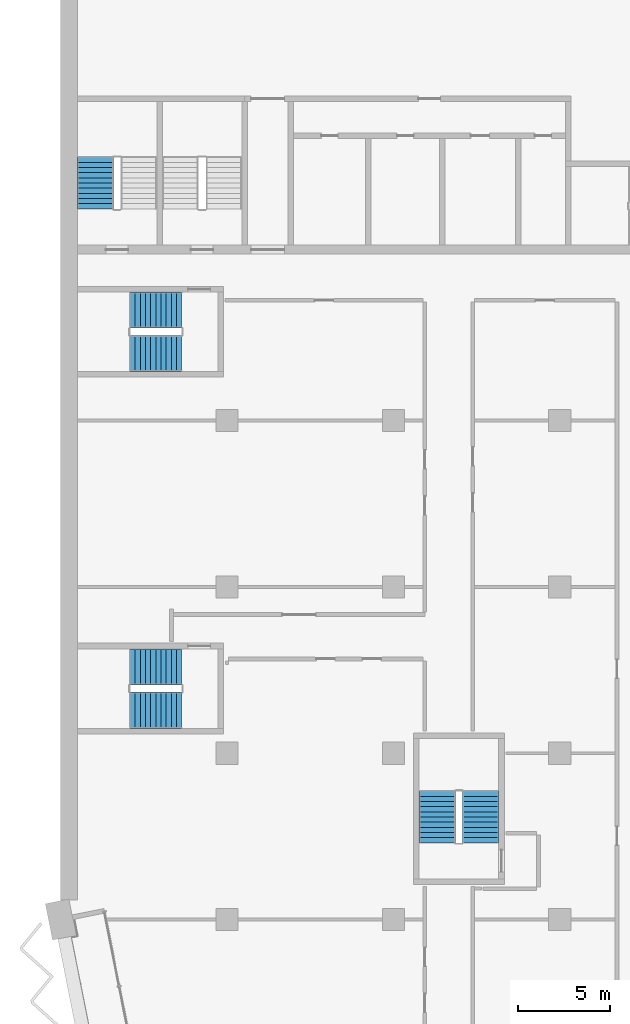
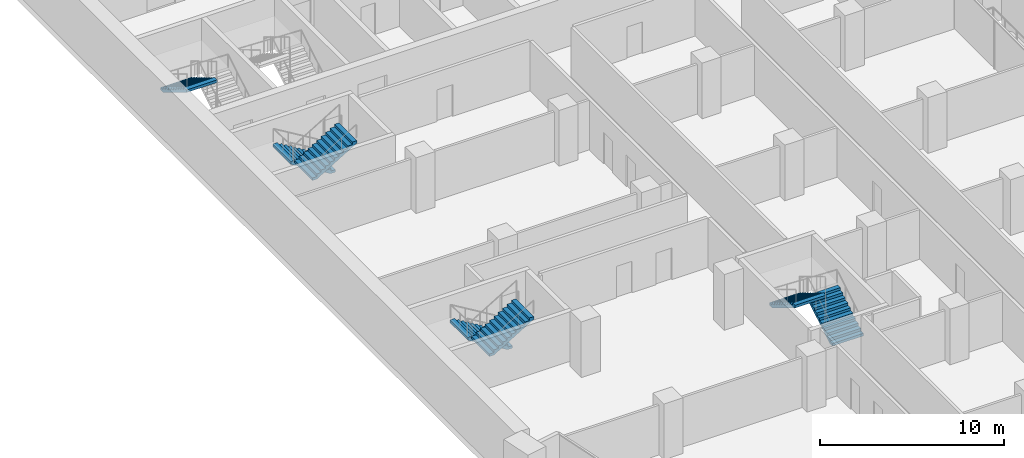
# One storey, part 16 of 23: 7 stair flights, 4 elements without a shape of their own.
"""IFC4 building model written with IfcOpenShell, lengths in metres."""

from ifc_helpers import new_model, si_unit, direction, frame, origin, place, context, subcontext, project, spatial, polyline, outline, extrude, material, type_object, element, aggregate, save


model = new_model("IFC4")

# Units and contexts
model_context = context("Model", 3, precision=1e-05, world=origin(), true_north=direction((0.0, 1.0)))
body_context = subcontext(model_context, "Body", "Model", "MODEL_VIEW")
ifc_project = project(units=[si_unit("LENGTHUNIT", "METRE"), si_unit("AREAUNIT", "SQUARE_METRE"), si_unit("VOLUMEUNIT", "CUBIC_METRE"), si_unit("PLANEANGLEUNIT", "RADIAN"), si_unit("MASSUNIT", "GRAM", prefix="KILO")], contexts=[model_context])

# Site, building, storey
site_placement = place(None, origin())
site = spatial("IfcSite", under=ifc_project, at=site_placement, CompositionType="ELEMENT")
building_placement = place(site_placement, origin())
building = spatial("IfcBuilding", under=site, at=building_placement, Name="Hunhe Ridgeline Campus", CompositionType="ELEMENT")
storey_placement = place(building_placement, frame((0.0, 0.0, 152.300048828125)))
storey = spatial("IfcBuildingStorey", under=building, at=storey_placement, Name="L38", CompositionType="ELEMENT", Elevation=152.300048828125)

# Stair, stair flight
ifc_material = material(Name="Concrete C40", Category="concrete")
stair_type = type_object("IfcStairType", Name="Reinforced concrete dog-leg stair 1950 Concrete C40", PredefinedType="HALF_TURN_STAIR", material=ifc_material)
stair_1_placement = place(storey_placement, origin())
stair_1 = element("IfcStair", 1, at=stair_1_placement, inside=storey, type_object=stair_type, Name="L38 S3", PredefinedType="HALF_TURN_STAIR")
stair_flight_type = type_object("IfcStairFlightType", Name="Reinforced concrete stair flight 1950 Concrete C40", PredefinedType="STRAIGHT", material=ifc_material)
stair_flight_1_placement = place(storey_placement, frame((1.875, 68.25, 1.849853515625), z_axis=(0.0, 0.0, 1.0), x_axis=(0.0, -1.0, 0.0)))
stair_flight_1 = element("IfcStairFlight", 2, at=stair_flight_1_placement, type_object=stair_flight_type, Name="ST3 flight 2", NumberOfRisers=11, NumberOfTreads=10, PredefinedType="STRAIGHT", RiserHeight=0.168181818, TreadLength=0.28, context=body_context, shape_type="SweptSolid", body=[
    extrude(outline(polyline([(0.0, 0.0), (0.0, 0.168212890625), (0.280029296875, 0.168212890625), (0.280029296875, 0.33642578125), (0.56005859375, 0.33642578125), (0.56005859375, 0.504638671875), (0.840087890625, 0.504638671875), (0.840087890625, 0.672607421875), (1.1201171875, 0.672607421875), (1.1201171875, 0.8408203125), (1.39990234375, 0.8408203125), (1.39990234375, 1.009033203125), (1.679931640625, 1.009033203125), (1.679931640625, 1.17724609375), (1.9599609375, 1.17724609375), (1.9599609375, 1.345458984375), (2.239990234375, 1.345458984375), (2.239990234375, 1.513671875), (2.52001953125, 1.513671875), (2.52001953125, 1.681884765625), (2.800048828125, 1.681884765625), (2.800048828125, 1.85009765625), (2.800048828125, 1.5068359375), (0.291015625, 0.0), (0.0, 0.0)])), frame((0.0, 0.97509765625, 0.0), z_axis=(0.0, -1.0, 0.0), x_axis=(1.0, 0.0, 0.0)), (0.0, 0.0, 1.0), 1.949951171875),
    extrude(outline(polyline([(0.030029296875, 0.030029296875), (0.030029296875, 0.13818359375), (0.31005859375, 0.13818359375), (0.31005859375, 0.306396484375), (0.590087890625, 0.306396484375), (0.590087890625, 0.474609375), (0.8701171875, 0.474609375), (0.8701171875, 0.642578125), (1.14990234375, 0.642578125), (1.14990234375, 0.810791015625), (1.429931640625, 0.810791015625), (1.429931640625, 0.97900390625), (1.7099609375, 0.97900390625), (1.7099609375, 1.147216796875), (1.989990234375, 1.147216796875), (1.989990234375, 1.3154296875), (2.27001953125, 1.3154296875), (2.27001953125, 1.483642578125), (2.550048828125, 1.483642578125), (2.550048828125, 1.65185546875), (2.77001953125, 1.65185546875), (2.77001953125, 1.52392578125), (0.28271484375, 0.030029296875), (0.030029296875, 0.030029296875)])), frame((0.0, -0.070068359375, 0.0), z_axis=(0.0, -1.0, 0.0), x_axis=(1.0, 0.0, 0.0)), (0.0, 0.0, 1.0), 0.019775390625),
    extrude(outline(polyline([(0.030029296875, 0.030029296875), (0.030029296875, 0.13818359375), (0.31005859375, 0.13818359375), (0.31005859375, 0.306396484375), (0.590087890625, 0.306396484375), (0.590087890625, 0.474609375), (0.8701171875, 0.474609375), (0.8701171875, 0.642578125), (1.14990234375, 0.642578125), (1.14990234375, 0.810791015625), (1.429931640625, 0.810791015625), (1.429931640625, 0.97900390625), (1.7099609375, 0.97900390625), (1.7099609375, 1.147216796875), (1.989990234375, 1.147216796875), (1.989990234375, 1.3154296875), (2.27001953125, 1.3154296875), (2.27001953125, 1.483642578125), (2.550048828125, 1.483642578125), (2.550048828125, 1.65185546875), (2.77001953125, 1.65185546875), (2.77001953125, 1.52392578125), (0.28271484375, 0.030029296875), (0.030029296875, 0.030029296875)])), frame((0.0, 0.010009765625, 0.0), z_axis=(0.0, -1.0, 0.0), x_axis=(1.0, 0.0, 0.0)), (0.0, 0.0, 1.0), 0.019775390625),
    extrude(outline(polyline([(0.030029296875, 0.030029296875), (0.030029296875, 0.13818359375), (0.31005859375, 0.13818359375), (0.31005859375, 0.306396484375), (0.590087890625, 0.306396484375), (0.590087890625, 0.474609375), (0.8701171875, 0.474609375), (0.8701171875, 0.642578125), (1.14990234375, 0.642578125), (1.14990234375, 0.810791015625), (1.429931640625, 0.810791015625), (1.429931640625, 0.97900390625), (1.7099609375, 0.97900390625), (1.7099609375, 1.147216796875), (1.989990234375, 1.147216796875), (1.989990234375, 1.3154296875), (2.27001953125, 1.3154296875), (2.27001953125, 1.483642578125), (2.550048828125, 1.483642578125), (2.550048828125, 1.65185546875), (2.77001953125, 1.65185546875), (2.77001953125, 1.52392578125), (0.28271484375, 0.030029296875), (0.030029296875, 0.030029296875)])), frame((0.0, 0.090087890625, 0.0), z_axis=(0.0, -1.0, 0.0), x_axis=(1.0, 0.0, 0.0)), (0.0, 0.0, 1.0), 0.019775390625),
])
aggregate(stair_1, [stair_flight_1])

# Stair, stair flights
stair_2_placement = place(storey_placement, origin())
stair_2 = element("IfcStair", 3, at=stair_2_placement, inside=storey, type_object=stair_type, Name="L38 W3", PredefinedType="HALF_TURN_STAIR")
stair_flight_2_placement = place(storey_placement, frame((22.72509765625, 31.14990234375, 0.0), z_axis=(0.0, 0.0, 1.0), x_axis=(0.0, 1.0, 0.0)))
stair_flight_2 = element("IfcStairFlight", 4, at=stair_flight_2_placement, type_object=stair_flight_type, Name="ST9 flight 1", NumberOfRisers=11, NumberOfTreads=10, PredefinedType="STRAIGHT", RiserHeight=0.168181818, TreadLength=0.28, context=body_context, shape_type="SweptSolid", body=[
    extrude(outline(polyline([(0.0, 0.0), (0.0, 0.168212890625), (0.280029296875, 0.168212890625), (0.280029296875, 0.33642578125), (0.56005859375, 0.33642578125), (0.56005859375, 0.504638671875), (0.840087890625, 0.504638671875), (0.840087890625, 0.672607421875), (1.1201171875, 0.672607421875), (1.1201171875, 0.8408203125), (1.39990234375, 0.8408203125), (1.39990234375, 1.009033203125), (1.679931640625, 1.009033203125), (1.679931640625, 1.17724609375), (1.9599609375, 1.17724609375), (1.9599609375, 1.345458984375), (2.239990234375, 1.345458984375), (2.239990234375, 1.513671875), (2.52001953125, 1.513671875), (2.52001953125, 1.681884765625), (2.800048828125, 1.681884765625), (2.800048828125, 1.85009765625), (2.800048828125, 1.5068359375), (0.291015625, 0.0), (0.0, 0.0)])), frame((0.0, 0.97509765625, 0.0), z_axis=(0.0, -1.0, 0.0), x_axis=(1.0, 0.0, 0.0)), (0.0, 0.0, 1.0), 1.949951171875),
    extrude(outline(polyline([(0.030029296875, 0.030029296875), (0.030029296875, 0.13818359375), (0.31005859375, 0.13818359375), (0.31005859375, 0.306396484375), (0.590087890625, 0.306396484375), (0.590087890625, 0.474609375), (0.8701171875, 0.474609375), (0.8701171875, 0.642578125), (1.14990234375, 0.642578125), (1.14990234375, 0.810791015625), (1.429931640625, 0.810791015625), (1.429931640625, 0.97900390625), (1.7099609375, 0.97900390625), (1.7099609375, 1.147216796875), (1.989990234375, 1.147216796875), (1.989990234375, 1.3154296875), (2.27001953125, 1.3154296875), (2.27001953125, 1.483642578125), (2.550048828125, 1.483642578125), (2.550048828125, 1.65185546875), (2.77001953125, 1.65185546875), (2.77001953125, 1.52392578125), (0.28271484375, 0.030029296875), (0.030029296875, 0.030029296875)])), frame((0.0, -0.070068359375, 0.0), z_axis=(0.0, -1.0, 0.0), x_axis=(1.0, 0.0, 0.0)), (0.0, 0.0, 1.0), 0.019775390625),
    extrude(outline(polyline([(0.030029296875, 0.030029296875), (0.030029296875, 0.13818359375), (0.31005859375, 0.13818359375), (0.31005859375, 0.306396484375), (0.590087890625, 0.306396484375), (0.590087890625, 0.474609375), (0.8701171875, 0.474609375), (0.8701171875, 0.642578125), (1.14990234375, 0.642578125), (1.14990234375, 0.810791015625), (1.429931640625, 0.810791015625), (1.429931640625, 0.97900390625), (1.7099609375, 0.97900390625), (1.7099609375, 1.147216796875), (1.989990234375, 1.147216796875), (1.989990234375, 1.3154296875), (2.27001953125, 1.3154296875), (2.27001953125, 1.483642578125), (2.550048828125, 1.483642578125), (2.550048828125, 1.65185546875), (2.77001953125, 1.65185546875), (2.77001953125, 1.52392578125), (0.28271484375, 0.030029296875), (0.030029296875, 0.030029296875)])), frame((0.0, 0.010009765625, 0.0), z_axis=(0.0, -1.0, 0.0), x_axis=(1.0, 0.0, 0.0)), (0.0, 0.0, 1.0), 0.019775390625),
    extrude(outline(polyline([(0.030029296875, 0.030029296875), (0.030029296875, 0.13818359375), (0.31005859375, 0.13818359375), (0.31005859375, 0.306396484375), (0.590087890625, 0.306396484375), (0.590087890625, 0.474609375), (0.8701171875, 0.474609375), (0.8701171875, 0.642578125), (1.14990234375, 0.642578125), (1.14990234375, 0.810791015625), (1.429931640625, 0.810791015625), (1.429931640625, 0.97900390625), (1.7099609375, 0.97900390625), (1.7099609375, 1.147216796875), (1.989990234375, 1.147216796875), (1.989990234375, 1.3154296875), (2.27001953125, 1.3154296875), (2.27001953125, 1.483642578125), (2.550048828125, 1.483642578125), (2.550048828125, 1.65185546875), (2.77001953125, 1.65185546875), (2.77001953125, 1.52392578125), (0.28271484375, 0.030029296875), (0.030029296875, 0.030029296875)])), frame((0.0, 0.090087890625, 0.0), z_axis=(0.0, -1.0, 0.0), x_axis=(1.0, 0.0, 0.0)), (0.0, 0.0, 1.0), 0.019775390625),
])
stair_flight_3_placement = place(storey_placement, frame((20.375, 33.949951171875, 1.849853515625), z_axis=(0.0, 0.0, 1.0), x_axis=(0.0, -1.0, 0.0)))
stair_flight_3 = element("IfcStairFlight", 5, at=stair_flight_3_placement, type_object=stair_flight_type, Name="ST9 flight 2", NumberOfRisers=11, NumberOfTreads=10, PredefinedType="STRAIGHT", RiserHeight=0.168181818, TreadLength=0.28, context=body_context, shape_type="SweptSolid", body=[
    extrude(outline(polyline([(0.0, 0.0), (0.0, 0.168212890625), (0.280029296875, 0.168212890625), (0.280029296875, 0.33642578125), (0.56005859375, 0.33642578125), (0.56005859375, 0.504638671875), (0.840087890625, 0.504638671875), (0.840087890625, 0.672607421875), (1.1201171875, 0.672607421875), (1.1201171875, 0.8408203125), (1.39990234375, 0.8408203125), (1.39990234375, 1.009033203125), (1.679931640625, 1.009033203125), (1.679931640625, 1.17724609375), (1.9599609375, 1.17724609375), (1.9599609375, 1.345458984375), (2.239990234375, 1.345458984375), (2.239990234375, 1.513671875), (2.52001953125, 1.513671875), (2.52001953125, 1.681884765625), (2.800048828125, 1.681884765625), (2.800048828125, 1.85009765625), (2.800048828125, 1.5068359375), (0.291015625, 0.0), (0.0, 0.0)])), frame((0.0, 0.97509765625, 0.0), z_axis=(0.0, -1.0, 0.0), x_axis=(1.0, 0.0, 0.0)), (0.0, 0.0, 1.0), 1.949951171875),
    extrude(outline(polyline([(0.030029296875, 0.030029296875), (0.030029296875, 0.13818359375), (0.31005859375, 0.13818359375), (0.31005859375, 0.306396484375), (0.590087890625, 0.306396484375), (0.590087890625, 0.474609375), (0.8701171875, 0.474609375), (0.8701171875, 0.642578125), (1.14990234375, 0.642578125), (1.14990234375, 0.810791015625), (1.429931640625, 0.810791015625), (1.429931640625, 0.97900390625), (1.7099609375, 0.97900390625), (1.7099609375, 1.147216796875), (1.989990234375, 1.147216796875), (1.989990234375, 1.3154296875), (2.27001953125, 1.3154296875), (2.27001953125, 1.483642578125), (2.550048828125, 1.483642578125), (2.550048828125, 1.65185546875), (2.77001953125, 1.65185546875), (2.77001953125, 1.52392578125), (0.28271484375, 0.030029296875), (0.030029296875, 0.030029296875)])), frame((0.0, -0.070068359375, 0.0), z_axis=(0.0, -1.0, 0.0), x_axis=(1.0, 0.0, 0.0)), (0.0, 0.0, 1.0), 0.019775390625),
    extrude(outline(polyline([(0.030029296875, 0.030029296875), (0.030029296875, 0.13818359375), (0.31005859375, 0.13818359375), (0.31005859375, 0.306396484375), (0.590087890625, 0.306396484375), (0.590087890625, 0.474609375), (0.8701171875, 0.474609375), (0.8701171875, 0.642578125), (1.14990234375, 0.642578125), (1.14990234375, 0.810791015625), (1.429931640625, 0.810791015625), (1.429931640625, 0.97900390625), (1.7099609375, 0.97900390625), (1.7099609375, 1.147216796875), (1.989990234375, 1.147216796875), (1.989990234375, 1.3154296875), (2.27001953125, 1.3154296875), (2.27001953125, 1.483642578125), (2.550048828125, 1.483642578125), (2.550048828125, 1.65185546875), (2.77001953125, 1.65185546875), (2.77001953125, 1.52392578125), (0.28271484375, 0.030029296875), (0.030029296875, 0.030029296875)])), frame((0.0, 0.010009765625, 0.0), z_axis=(0.0, -1.0, 0.0), x_axis=(1.0, 0.0, 0.0)), (0.0, 0.0, 1.0), 0.019775390625),
    extrude(outline(polyline([(0.030029296875, 0.030029296875), (0.030029296875, 0.13818359375), (0.31005859375, 0.13818359375), (0.31005859375, 0.306396484375), (0.590087890625, 0.306396484375), (0.590087890625, 0.474609375), (0.8701171875, 0.474609375), (0.8701171875, 0.642578125), (1.14990234375, 0.642578125), (1.14990234375, 0.810791015625), (1.429931640625, 0.810791015625), (1.429931640625, 0.97900390625), (1.7099609375, 0.97900390625), (1.7099609375, 1.147216796875), (1.989990234375, 1.147216796875), (1.989990234375, 1.3154296875), (2.27001953125, 1.3154296875), (2.27001953125, 1.483642578125), (2.550048828125, 1.483642578125), (2.550048828125, 1.65185546875), (2.77001953125, 1.65185546875), (2.77001953125, 1.52392578125), (0.28271484375, 0.030029296875), (0.030029296875, 0.030029296875)])), frame((0.0, 0.090087890625, 0.0), z_axis=(0.0, -1.0, 0.0), x_axis=(1.0, 0.0, 0.0)), (0.0, 0.0, 1.0), 0.019775390625),
])
aggregate(stair_2, [stair_flight_2, stair_flight_3])

stair_3_placement = place(storey_placement, origin())
stair_3 = element("IfcStair", 6, at=stair_3_placement, inside=storey, type_object=stair_type, Name="L38 W1", PredefinedType="HALF_TURN_STAIR")
stair_flight_4_placement = place(storey_placement, frame((6.550048828125, 40.675048828125, 0.0), z_axis=(0.0, 0.0, 1.0), x_axis=(-1.0, 0.0, 0.0)))
stair_flight_4 = element("IfcStairFlight", 7, at=stair_flight_4_placement, type_object=stair_flight_type, Name="ST11 flight 1", NumberOfRisers=11, NumberOfTreads=10, PredefinedType="STRAIGHT", RiserHeight=0.168181818, TreadLength=0.28, context=body_context, shape_type="SweptSolid", body=[
    extrude(outline(polyline([(0.0, 0.0), (0.0, 0.168212890625), (0.280029296875, 0.168212890625), (0.280029296875, 0.33642578125), (0.56005859375, 0.33642578125), (0.56005859375, 0.504638671875), (0.840087890625, 0.504638671875), (0.840087890625, 0.672607421875), (1.1201171875, 0.672607421875), (1.1201171875, 0.8408203125), (1.39990234375, 0.8408203125), (1.39990234375, 1.009033203125), (1.679931640625, 1.009033203125), (1.679931640625, 1.17724609375), (1.9599609375, 1.17724609375), (1.9599609375, 1.345458984375), (2.239990234375, 1.345458984375), (2.239990234375, 1.513671875), (2.52001953125, 1.513671875), (2.52001953125, 1.681884765625), (2.800048828125, 1.681884765625), (2.800048828125, 1.85009765625), (2.800048828125, 1.5068359375), (0.291015625, 0.0), (0.0, 0.0)])), frame((0.0, 0.97509765625, 0.0), z_axis=(0.0, -1.0, 0.0), x_axis=(1.0, 0.0, 0.0)), (0.0, 0.0, 1.0), 1.949951171875),
    extrude(outline(polyline([(0.030029296875, 0.030029296875), (0.030029296875, 0.13818359375), (0.31005859375, 0.13818359375), (0.31005859375, 0.306396484375), (0.590087890625, 0.306396484375), (0.590087890625, 0.474609375), (0.8701171875, 0.474609375), (0.8701171875, 0.642578125), (1.14990234375, 0.642578125), (1.14990234375, 0.810791015625), (1.429931640625, 0.810791015625), (1.429931640625, 0.97900390625), (1.7099609375, 0.97900390625), (1.7099609375, 1.147216796875), (1.989990234375, 1.147216796875), (1.989990234375, 1.3154296875), (2.27001953125, 1.3154296875), (2.27001953125, 1.483642578125), (2.550048828125, 1.483642578125), (2.550048828125, 1.65185546875), (2.77001953125, 1.65185546875), (2.77001953125, 1.52392578125), (0.28271484375, 0.030029296875), (0.030029296875, 0.030029296875)])), frame((0.0, -0.070068359375, 0.0), z_axis=(0.0, -1.0, 0.0), x_axis=(1.0, 0.0, 0.0)), (0.0, 0.0, 1.0), 0.019775390625),
    extrude(outline(polyline([(0.030029296875, 0.030029296875), (0.030029296875, 0.13818359375), (0.31005859375, 0.13818359375), (0.31005859375, 0.306396484375), (0.590087890625, 0.306396484375), (0.590087890625, 0.474609375), (0.8701171875, 0.474609375), (0.8701171875, 0.642578125), (1.14990234375, 0.642578125), (1.14990234375, 0.810791015625), (1.429931640625, 0.810791015625), (1.429931640625, 0.97900390625), (1.7099609375, 0.97900390625), (1.7099609375, 1.147216796875), (1.989990234375, 1.147216796875), (1.989990234375, 1.3154296875), (2.27001953125, 1.3154296875), (2.27001953125, 1.483642578125), (2.550048828125, 1.483642578125), (2.550048828125, 1.65185546875), (2.77001953125, 1.65185546875), (2.77001953125, 1.52392578125), (0.28271484375, 0.030029296875), (0.030029296875, 0.030029296875)])), frame((0.0, 0.010009765625, 0.0), z_axis=(0.0, -1.0, 0.0), x_axis=(1.0, 0.0, 0.0)), (0.0, 0.0, 1.0), 0.019775390625),
    extrude(outline(polyline([(0.030029296875, 0.030029296875), (0.030029296875, 0.13818359375), (0.31005859375, 0.13818359375), (0.31005859375, 0.306396484375), (0.590087890625, 0.306396484375), (0.590087890625, 0.474609375), (0.8701171875, 0.474609375), (0.8701171875, 0.642578125), (1.14990234375, 0.642578125), (1.14990234375, 0.810791015625), (1.429931640625, 0.810791015625), (1.429931640625, 0.97900390625), (1.7099609375, 0.97900390625), (1.7099609375, 1.147216796875), (1.989990234375, 1.147216796875), (1.989990234375, 1.3154296875), (2.27001953125, 1.3154296875), (2.27001953125, 1.483642578125), (2.550048828125, 1.483642578125), (2.550048828125, 1.65185546875), (2.77001953125, 1.65185546875), (2.77001953125, 1.52392578125), (0.28271484375, 0.030029296875), (0.030029296875, 0.030029296875)])), frame((0.0, 0.090087890625, 0.0), z_axis=(0.0, -1.0, 0.0), x_axis=(1.0, 0.0, 0.0)), (0.0, 0.0, 1.0), 0.019775390625),
])
stair_flight_5_placement = place(storey_placement, frame((3.75, 38.324951171875, 1.849853515625), z_axis=(0.0, 0.0, 1.0), x_axis=(1.0, 0.0, 0.0)))
stair_flight_5 = element("IfcStairFlight", 8, at=stair_flight_5_placement, type_object=stair_flight_type, Name="ST11 flight 2", NumberOfRisers=11, NumberOfTreads=10, PredefinedType="STRAIGHT", RiserHeight=0.168181818, TreadLength=0.28, context=body_context, shape_type="SweptSolid", body=[
    extrude(outline(polyline([(0.0, 0.0), (0.0, 0.168212890625), (0.280029296875, 0.168212890625), (0.280029296875, 0.33642578125), (0.56005859375, 0.33642578125), (0.56005859375, 0.504638671875), (0.840087890625, 0.504638671875), (0.840087890625, 0.672607421875), (1.1201171875, 0.672607421875), (1.1201171875, 0.8408203125), (1.39990234375, 0.8408203125), (1.39990234375, 1.009033203125), (1.679931640625, 1.009033203125), (1.679931640625, 1.17724609375), (1.9599609375, 1.17724609375), (1.9599609375, 1.345458984375), (2.239990234375, 1.345458984375), (2.239990234375, 1.513671875), (2.52001953125, 1.513671875), (2.52001953125, 1.681884765625), (2.800048828125, 1.681884765625), (2.800048828125, 1.85009765625), (2.800048828125, 1.5068359375), (0.291015625, 0.0), (0.0, 0.0)])), frame((0.0, 0.97509765625, 0.0), z_axis=(0.0, -1.0, 0.0), x_axis=(1.0, 0.0, 0.0)), (0.0, 0.0, 1.0), 1.949951171875),
    extrude(outline(polyline([(0.030029296875, 0.030029296875), (0.030029296875, 0.13818359375), (0.31005859375, 0.13818359375), (0.31005859375, 0.306396484375), (0.590087890625, 0.306396484375), (0.590087890625, 0.474609375), (0.8701171875, 0.474609375), (0.8701171875, 0.642578125), (1.14990234375, 0.642578125), (1.14990234375, 0.810791015625), (1.429931640625, 0.810791015625), (1.429931640625, 0.97900390625), (1.7099609375, 0.97900390625), (1.7099609375, 1.147216796875), (1.989990234375, 1.147216796875), (1.989990234375, 1.3154296875), (2.27001953125, 1.3154296875), (2.27001953125, 1.483642578125), (2.550048828125, 1.483642578125), (2.550048828125, 1.65185546875), (2.77001953125, 1.65185546875), (2.77001953125, 1.52392578125), (0.28271484375, 0.030029296875), (0.030029296875, 0.030029296875)])), frame((0.0, -0.070068359375, 0.0), z_axis=(0.0, -1.0, 0.0), x_axis=(1.0, 0.0, 0.0)), (0.0, 0.0, 1.0), 0.019775390625),
    extrude(outline(polyline([(0.030029296875, 0.030029296875), (0.030029296875, 0.13818359375), (0.31005859375, 0.13818359375), (0.31005859375, 0.306396484375), (0.590087890625, 0.306396484375), (0.590087890625, 0.474609375), (0.8701171875, 0.474609375), (0.8701171875, 0.642578125), (1.14990234375, 0.642578125), (1.14990234375, 0.810791015625), (1.429931640625, 0.810791015625), (1.429931640625, 0.97900390625), (1.7099609375, 0.97900390625), (1.7099609375, 1.147216796875), (1.989990234375, 1.147216796875), (1.989990234375, 1.3154296875), (2.27001953125, 1.3154296875), (2.27001953125, 1.483642578125), (2.550048828125, 1.483642578125), (2.550048828125, 1.65185546875), (2.77001953125, 1.65185546875), (2.77001953125, 1.52392578125), (0.28271484375, 0.030029296875), (0.030029296875, 0.030029296875)])), frame((0.0, 0.010009765625, 0.0), z_axis=(0.0, -1.0, 0.0), x_axis=(1.0, 0.0, 0.0)), (0.0, 0.0, 1.0), 0.019775390625),
    extrude(outline(polyline([(0.030029296875, 0.030029296875), (0.030029296875, 0.13818359375), (0.31005859375, 0.13818359375), (0.31005859375, 0.306396484375), (0.590087890625, 0.306396484375), (0.590087890625, 0.474609375), (0.8701171875, 0.474609375), (0.8701171875, 0.642578125), (1.14990234375, 0.642578125), (1.14990234375, 0.810791015625), (1.429931640625, 0.810791015625), (1.429931640625, 0.97900390625), (1.7099609375, 0.97900390625), (1.7099609375, 1.147216796875), (1.989990234375, 1.147216796875), (1.989990234375, 1.3154296875), (2.27001953125, 1.3154296875), (2.27001953125, 1.483642578125), (2.550048828125, 1.483642578125), (2.550048828125, 1.65185546875), (2.77001953125, 1.65185546875), (2.77001953125, 1.52392578125), (0.28271484375, 0.030029296875), (0.030029296875, 0.030029296875)])), frame((0.0, 0.090087890625, 0.0), z_axis=(0.0, -1.0, 0.0), x_axis=(1.0, 0.0, 0.0)), (0.0, 0.0, 1.0), 0.019775390625),
])
aggregate(stair_3, [stair_flight_4, stair_flight_5])

stair_4_placement = place(storey_placement, origin())
stair_4 = element("IfcStair", 9, at=stair_4_placement, inside=storey, type_object=stair_type, Name="L38 W2", PredefinedType="HALF_TURN_STAIR")
stair_flight_6_placement = place(storey_placement, frame((6.550048828125, 59.97509765625, 0.0), z_axis=(0.0, 0.0, 1.0), x_axis=(-1.0, 0.0, 0.0)))
stair_flight_6 = element("IfcStairFlight", 10, at=stair_flight_6_placement, type_object=stair_flight_type, Name="ST12 flight 1", NumberOfRisers=11, NumberOfTreads=10, PredefinedType="STRAIGHT", RiserHeight=0.168181818, TreadLength=0.28, context=body_context, shape_type="SweptSolid", body=[
    extrude(outline(polyline([(0.0, 0.0), (0.0, 0.168212890625), (0.280029296875, 0.168212890625), (0.280029296875, 0.33642578125), (0.56005859375, 0.33642578125), (0.56005859375, 0.504638671875), (0.840087890625, 0.504638671875), (0.840087890625, 0.672607421875), (1.1201171875, 0.672607421875), (1.1201171875, 0.8408203125), (1.39990234375, 0.8408203125), (1.39990234375, 1.009033203125), (1.679931640625, 1.009033203125), (1.679931640625, 1.17724609375), (1.9599609375, 1.17724609375), (1.9599609375, 1.345458984375), (2.239990234375, 1.345458984375), (2.239990234375, 1.513671875), (2.52001953125, 1.513671875), (2.52001953125, 1.681884765625), (2.800048828125, 1.681884765625), (2.800048828125, 1.85009765625), (2.800048828125, 1.5068359375), (0.291015625, 0.0), (0.0, 0.0)])), frame((0.0, 0.97509765625, 0.0), z_axis=(0.0, -1.0, 0.0), x_axis=(1.0, 0.0, 0.0)), (0.0, 0.0, 1.0), 1.949951171875),
    extrude(outline(polyline([(0.030029296875, 0.030029296875), (0.030029296875, 0.13818359375), (0.31005859375, 0.13818359375), (0.31005859375, 0.306396484375), (0.590087890625, 0.306396484375), (0.590087890625, 0.474609375), (0.8701171875, 0.474609375), (0.8701171875, 0.642578125), (1.14990234375, 0.642578125), (1.14990234375, 0.810791015625), (1.429931640625, 0.810791015625), (1.429931640625, 0.97900390625), (1.7099609375, 0.97900390625), (1.7099609375, 1.147216796875), (1.989990234375, 1.147216796875), (1.989990234375, 1.3154296875), (2.27001953125, 1.3154296875), (2.27001953125, 1.483642578125), (2.550048828125, 1.483642578125), (2.550048828125, 1.65185546875), (2.77001953125, 1.65185546875), (2.77001953125, 1.52392578125), (0.28271484375, 0.030029296875), (0.030029296875, 0.030029296875)])), frame((0.0, -0.070068359375, 0.0), z_axis=(0.0, -1.0, 0.0), x_axis=(1.0, 0.0, 0.0)), (0.0, 0.0, 1.0), 0.019775390625),
    extrude(outline(polyline([(0.030029296875, 0.030029296875), (0.030029296875, 0.13818359375), (0.31005859375, 0.13818359375), (0.31005859375, 0.306396484375), (0.590087890625, 0.306396484375), (0.590087890625, 0.474609375), (0.8701171875, 0.474609375), (0.8701171875, 0.642578125), (1.14990234375, 0.642578125), (1.14990234375, 0.810791015625), (1.429931640625, 0.810791015625), (1.429931640625, 0.97900390625), (1.7099609375, 0.97900390625), (1.7099609375, 1.147216796875), (1.989990234375, 1.147216796875), (1.989990234375, 1.3154296875), (2.27001953125, 1.3154296875), (2.27001953125, 1.483642578125), (2.550048828125, 1.483642578125), (2.550048828125, 1.65185546875), (2.77001953125, 1.65185546875), (2.77001953125, 1.52392578125), (0.28271484375, 0.030029296875), (0.030029296875, 0.030029296875)])), frame((0.0, 0.010009765625, 0.0), z_axis=(0.0, -1.0, 0.0), x_axis=(1.0, 0.0, 0.0)), (0.0, 0.0, 1.0), 0.019775390625),
    extrude(outline(polyline([(0.030029296875, 0.030029296875), (0.030029296875, 0.13818359375), (0.31005859375, 0.13818359375), (0.31005859375, 0.306396484375), (0.590087890625, 0.306396484375), (0.590087890625, 0.474609375), (0.8701171875, 0.474609375), (0.8701171875, 0.642578125), (1.14990234375, 0.642578125), (1.14990234375, 0.810791015625), (1.429931640625, 0.810791015625), (1.429931640625, 0.97900390625), (1.7099609375, 0.97900390625), (1.7099609375, 1.147216796875), (1.989990234375, 1.147216796875), (1.989990234375, 1.3154296875), (2.27001953125, 1.3154296875), (2.27001953125, 1.483642578125), (2.550048828125, 1.483642578125), (2.550048828125, 1.65185546875), (2.77001953125, 1.65185546875), (2.77001953125, 1.52392578125), (0.28271484375, 0.030029296875), (0.030029296875, 0.030029296875)])), frame((0.0, 0.090087890625, 0.0), z_axis=(0.0, -1.0, 0.0), x_axis=(1.0, 0.0, 0.0)), (0.0, 0.0, 1.0), 0.019775390625),
])
stair_flight_7_placement = place(storey_placement, frame((3.75, 57.625, 1.849853515625), z_axis=(0.0, 0.0, 1.0), x_axis=(1.0, 0.0, 0.0)))
stair_flight_7 = element("IfcStairFlight", 11, at=stair_flight_7_placement, type_object=stair_flight_type, Name="ST12 flight 2", NumberOfRisers=11, NumberOfTreads=10, PredefinedType="STRAIGHT", RiserHeight=0.168181818, TreadLength=0.28, context=body_context, shape_type="SweptSolid", body=[
    extrude(outline(polyline([(0.0, 0.0), (0.0, 0.168212890625), (0.280029296875, 0.168212890625), (0.280029296875, 0.33642578125), (0.56005859375, 0.33642578125), (0.56005859375, 0.504638671875), (0.840087890625, 0.504638671875), (0.840087890625, 0.672607421875), (1.1201171875, 0.672607421875), (1.1201171875, 0.8408203125), (1.39990234375, 0.8408203125), (1.39990234375, 1.009033203125), (1.679931640625, 1.009033203125), (1.679931640625, 1.17724609375), (1.9599609375, 1.17724609375), (1.9599609375, 1.345458984375), (2.239990234375, 1.345458984375), (2.239990234375, 1.513671875), (2.52001953125, 1.513671875), (2.52001953125, 1.681884765625), (2.800048828125, 1.681884765625), (2.800048828125, 1.85009765625), (2.800048828125, 1.5068359375), (0.291015625, 0.0), (0.0, 0.0)])), frame((0.0, 0.97509765625, 0.0), z_axis=(0.0, -1.0, 0.0), x_axis=(1.0, 0.0, 0.0)), (0.0, 0.0, 1.0), 1.949951171875),
    extrude(outline(polyline([(0.030029296875, 0.030029296875), (0.030029296875, 0.13818359375), (0.31005859375, 0.13818359375), (0.31005859375, 0.306396484375), (0.590087890625, 0.306396484375), (0.590087890625, 0.474609375), (0.8701171875, 0.474609375), (0.8701171875, 0.642578125), (1.14990234375, 0.642578125), (1.14990234375, 0.810791015625), (1.429931640625, 0.810791015625), (1.429931640625, 0.97900390625), (1.7099609375, 0.97900390625), (1.7099609375, 1.147216796875), (1.989990234375, 1.147216796875), (1.989990234375, 1.3154296875), (2.27001953125, 1.3154296875), (2.27001953125, 1.483642578125), (2.550048828125, 1.483642578125), (2.550048828125, 1.65185546875), (2.77001953125, 1.65185546875), (2.77001953125, 1.52392578125), (0.28271484375, 0.030029296875), (0.030029296875, 0.030029296875)])), frame((0.0, -0.070068359375, 0.0), z_axis=(0.0, -1.0, 0.0), x_axis=(1.0, 0.0, 0.0)), (0.0, 0.0, 1.0), 0.019775390625),
    extrude(outline(polyline([(0.030029296875, 0.030029296875), (0.030029296875, 0.13818359375), (0.31005859375, 0.13818359375), (0.31005859375, 0.306396484375), (0.590087890625, 0.306396484375), (0.590087890625, 0.474609375), (0.8701171875, 0.474609375), (0.8701171875, 0.642578125), (1.14990234375, 0.642578125), (1.14990234375, 0.810791015625), (1.429931640625, 0.810791015625), (1.429931640625, 0.97900390625), (1.7099609375, 0.97900390625), (1.7099609375, 1.147216796875), (1.989990234375, 1.147216796875), (1.989990234375, 1.3154296875), (2.27001953125, 1.3154296875), (2.27001953125, 1.483642578125), (2.550048828125, 1.483642578125), (2.550048828125, 1.65185546875), (2.77001953125, 1.65185546875), (2.77001953125, 1.52392578125), (0.28271484375, 0.030029296875), (0.030029296875, 0.030029296875)])), frame((0.0, 0.010009765625, 0.0), z_axis=(0.0, -1.0, 0.0), x_axis=(1.0, 0.0, 0.0)), (0.0, 0.0, 1.0), 0.019775390625),
    extrude(outline(polyline([(0.030029296875, 0.030029296875), (0.030029296875, 0.13818359375), (0.31005859375, 0.13818359375), (0.31005859375, 0.306396484375), (0.590087890625, 0.306396484375), (0.590087890625, 0.474609375), (0.8701171875, 0.474609375), (0.8701171875, 0.642578125), (1.14990234375, 0.642578125), (1.14990234375, 0.810791015625), (1.429931640625, 0.810791015625), (1.429931640625, 0.97900390625), (1.7099609375, 0.97900390625), (1.7099609375, 1.147216796875), (1.989990234375, 1.147216796875), (1.989990234375, 1.3154296875), (2.27001953125, 1.3154296875), (2.27001953125, 1.483642578125), (2.550048828125, 1.483642578125), (2.550048828125, 1.65185546875), (2.77001953125, 1.65185546875), (2.77001953125, 1.52392578125), (0.28271484375, 0.030029296875), (0.030029296875, 0.030029296875)])), frame((0.0, 0.090087890625, 0.0), z_axis=(0.0, -1.0, 0.0), x_axis=(1.0, 0.0, 0.0)), (0.0, 0.0, 1.0), 0.019775390625),
])
aggregate(stair_4, [stair_flight_6, stair_flight_7])

save(model, "model.ifc")
